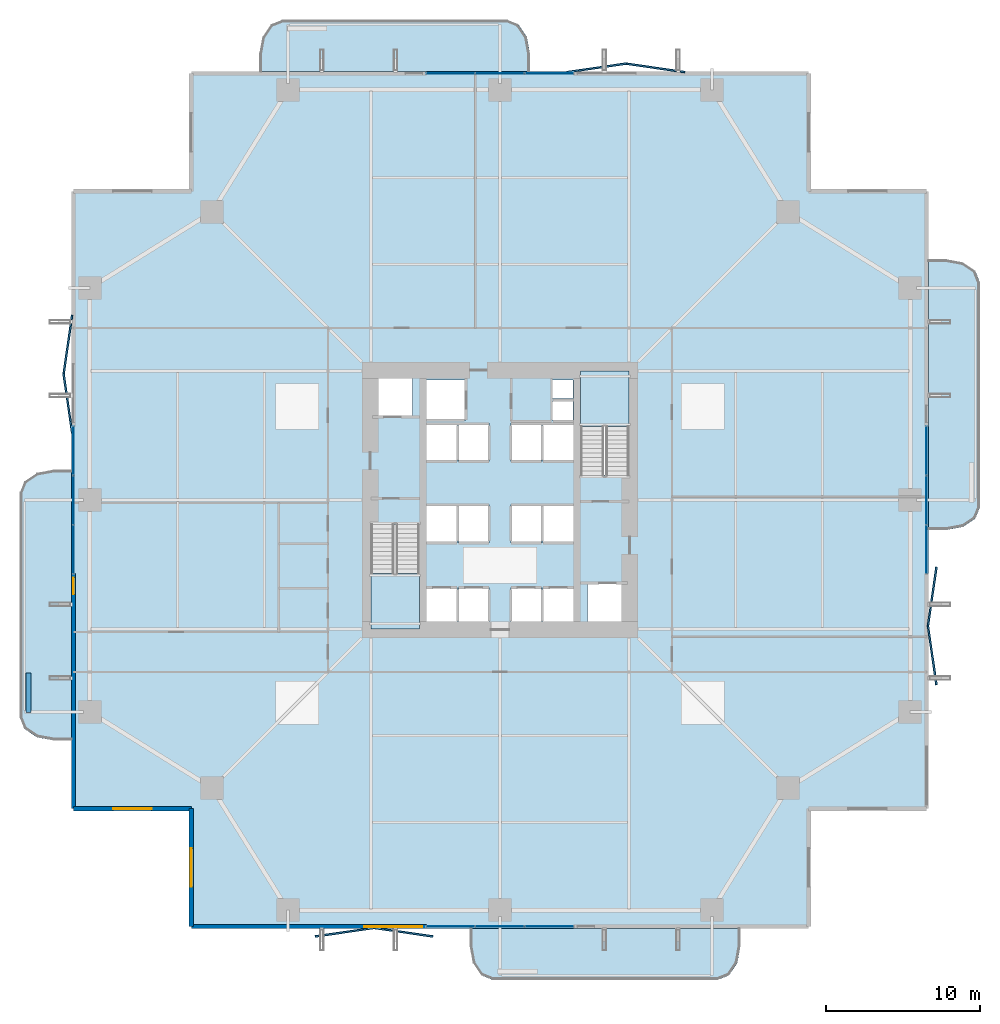
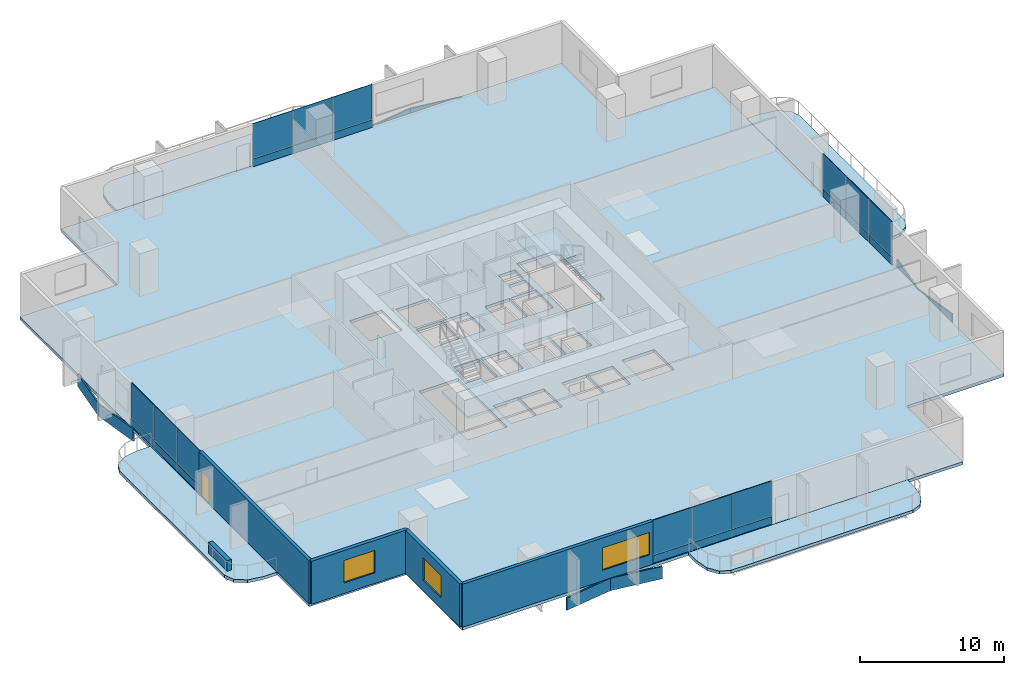
# One storey, part 16 of 23: 32 plates, 7 slabs, 5 walls, 3 windows, 1 door, 4 openings, 6 elements without a shape of their own.
"""IFC4 building model written with IfcOpenShell, lengths in metres."""

from ifc_helpers import new_model, si_unit, direction, frame, frame_2d, origin, origin_2d, place, context, subcontext, project, spatial, polyline, rectangle, outline, extrude, material, layer, layer_set, type_object, element, fill, aggregate, save


model = new_model("IFC4")

# Units and contexts
model_context = context("Model", 3, precision=1e-05, world=origin(), true_north=direction((0.0, 1.0)))
body_context = subcontext(model_context, "Body", "Model", "MODEL_VIEW")
ifc_project = project(units=[si_unit("LENGTHUNIT", "METRE"), si_unit("AREAUNIT", "SQUARE_METRE"), si_unit("VOLUMEUNIT", "CUBIC_METRE"), si_unit("PLANEANGLEUNIT", "RADIAN"), si_unit("MASSUNIT", "GRAM", prefix="KILO")], contexts=[model_context])

# Site, building, storey
site_placement = place(None, origin())
site = spatial("IfcSite", under=ifc_project, at=site_placement, CompositionType="ELEMENT")
building_placement = place(site_placement, origin())
building = spatial("IfcBuilding", under=site, at=building_placement, Name="Belovzor Exchange Tower", CompositionType="ELEMENT")
storey_placement = place(building_placement, frame((0.0, 0.0, 84.60009765625)))
storey = spatial("IfcBuildingStorey", under=building, at=storey_placement, Name="L20", CompositionType="ELEMENT", Elevation=84.60009765625)

# Slab
ifc_material_1 = material(Name="Concrete C40/50", Category="concrete")
ifc_layer_1 = layer(ifc_material_1, 0.25)
ifc_layer_set_1 = layer_set([ifc_layer_1], Name="Concrete C40/50")
slab_type_1 = type_object("IfcSlabType", Name="Composite Concrete Floor Deck Slab 250", PredefinedType="FLOOR", material=ifc_layer_set_1)
slab_1_placement = place(storey_placement, frame((0.0, 0.0, -0.25)))
element("IfcSlab", 1, at=slab_1_placement, inside=storey, type_object=slab_type_1, Name="SL-F250 Structural Slab L20", PredefinedType="FLOOR", context=body_context, shape_type="SweptSolid", body=[
    extrude(outline(polyline([(8.699951171875, 0.89990234375), (48.89990234375, 0.89990234375), (48.89990234375, 8.699951171875), (56.699951171875, 8.699951171875), (56.699951171875, 48.89990234375), (48.89990234375, 48.89990234375), (48.89990234375, 56.699951171875), (8.699951171875, 56.699951171875), (8.699951171875, 48.89990234375), (0.89990234375, 48.89990234375), (0.89990234375, 8.699951171875), (8.699951171875, 8.699951171875), (8.699951171875, 0.89990234375)]), holes=[polyline([(20.39990234375, 27.175048828125), (20.39990234375, 20.39990234375), (23.550048828125, 20.39990234375), (23.550048828125, 27.175048828125), (20.39990234375, 27.175048828125)]), polyline([(37.199951171875, 30.425048828125), (37.199951171875, 37.199951171875), (34.050048828125, 37.199951171875), (34.050048828125, 30.425048828125), (37.199951171875, 30.425048828125)]), polyline([(20.5, 34.199951171875), (23.10009765625, 34.199951171875), (23.10009765625, 37.0), (20.5, 37.0), (20.5, 34.199951171875)]), polyline([(34.5, 20.60009765625), (37.10009765625, 20.60009765625), (37.10009765625, 23.39990234375), (34.5, 23.39990234375), (34.5, 20.60009765625)]), polyline([(24.0, 34.0), (26.60009765625, 34.0), (26.60009765625, 36.60009765625), (24.0, 36.60009765625), (24.0, 34.0)]), polyline([(24.0, 20.60009765625), (26.0, 20.60009765625), (26.0, 23.10009765625), (24.0, 23.10009765625), (24.0, 20.60009765625)]), polyline([(26.10009765625, 20.60009765625), (28.10009765625, 20.60009765625), (28.10009765625, 23.10009765625), (26.10009765625, 23.10009765625), (26.10009765625, 20.60009765625)]), polyline([(29.5, 20.60009765625), (31.5, 20.60009765625), (31.5, 23.10009765625), (29.5, 23.10009765625), (29.5, 20.60009765625)]), polyline([(31.60009765625, 20.60009765625), (33.60009765625, 20.60009765625), (33.60009765625, 23.10009765625), (31.60009765625, 23.10009765625), (31.60009765625, 20.60009765625)]), polyline([(24.0, 26.0), (26.0, 26.0), (26.0, 28.5), (24.0, 28.5), (24.0, 26.0)]), polyline([(26.10009765625, 26.0), (28.10009765625, 26.0), (28.10009765625, 28.5), (26.10009765625, 28.5), (26.10009765625, 26.0)]), polyline([(29.5, 26.0), (31.5, 26.0), (31.5, 28.5), (29.5, 28.5), (29.5, 26.0)]), polyline([(31.60009765625, 26.0), (33.60009765625, 26.0), (33.60009765625, 28.5), (31.60009765625, 28.5), (31.60009765625, 26.0)]), polyline([(24.0, 31.300048828125), (26.0, 31.300048828125), (26.0, 33.800048828125), (24.0, 33.800048828125), (24.0, 31.300048828125)]), polyline([(26.10009765625, 31.300048828125), (28.10009765625, 31.300048828125), (28.10009765625, 33.800048828125), (26.10009765625, 33.800048828125), (26.10009765625, 31.300048828125)]), polyline([(29.5, 31.300048828125), (31.5, 31.300048828125), (31.5, 33.800048828125), (29.5, 33.800048828125), (29.5, 31.300048828125)]), polyline([(31.60009765625, 31.300048828125), (33.60009765625, 31.300048828125), (33.60009765625, 33.800048828125), (31.60009765625, 33.800048828125), (31.60009765625, 31.300048828125)]), polyline([(32.199951171875, 34.0), (33.550048828125, 34.0), (33.550048828125, 35.199951171875), (32.199951171875, 35.199951171875), (32.199951171875, 34.0)]), polyline([(32.199951171875, 35.39990234375), (33.550048828125, 35.39990234375), (33.550048828125, 36.60009765625), (32.199951171875, 36.60009765625), (32.199951171875, 35.39990234375)])]), origin(), (0.0, 0.0, 1.0), 0.25),
])

# Plates
ifc_material_2 = material(Name="Extruded Architectural Terracotta", Category="masonry")
ifc_layer_2 = layer(ifc_material_2, 0.1201171875)
ifc_layer_set_2 = layer_set([ifc_layer_2], Name="Extruded Architectural Terracotta")
plate_type_1 = type_object("IfcPlateType", Name="Folded Zigzag Terracotta Spandrel Louvre 80", PredefinedType="USERDEFINED", material=ifc_layer_set_2)
for number, where, z_axis, x_axis, name in (
    (2, (18.699951171875, 0.6650390625, -1.03515625), (0.0, 0.0, 1.0), (0.989686419138, 0.143250800258, 0.0), "LVR-ZZ1 Zigzag Terracotta Spandrel Louvre L20 S1A"),
    (3, (22.5, 0.6650390625, -1.03515625), (0.0, 0.0, 1.0), (0.989686419138, -0.143250800258, 0.0), "LVR-ZZ1 Zigzag Terracotta Spandrel Louvre L20 S1B"),
    (4, (56.93505859375, 18.699951171875, -1.03515625), (0.0, 0.0, 1.0), (-0.143250800258, 0.989686419138, 0.0), "LVR-ZZ1 Zigzag Terracotta Spandrel Louvre L20 E1A"),
    (5, (56.93505859375, 22.5, -1.03515625), (0.0, 0.0, 1.0), (0.143250800258, 0.989686419138, 0.0), "LVR-ZZ1 Zigzag Terracotta Spandrel Louvre L20 E1B"),
    (6, (35.10009765625, 56.93505859375, -1.03515625), (0.0, 0.0, 1.0), (0.989686419138, 0.143250800258, 0.0), "LVR-ZZ1 Zigzag Terracotta Spandrel Louvre L20 N2A"),
    (7, (38.89990234375, 56.93505859375, -1.03515625), (0.0, 0.0, 1.0), (0.989686419138, -0.143250800258, 0.0), "LVR-ZZ1 Zigzag Terracotta Spandrel Louvre L20 N2B"),
    (8, (0.6650390625, 35.10009765625, -1.03515625), (0.0, 0.0, 1.0), (-0.143250800258, 0.989686419138, 0.0), "LVR-ZZ1 Zigzag Terracotta Spandrel Louvre L20 W2A"),
    (9, (0.6650390625, 38.89990234375, -1.03515625), (0.0, 0.0, 1.0), (0.143250800258, 0.989686419138, 0.0), "LVR-ZZ1 Zigzag Terracotta Spandrel Louvre L20 W2B"),
):
    element("IfcPlate", number, at=place(storey_placement, frame(where, z_axis=z_axis, x_axis=x_axis)), inside=storey, type_object=plate_type_1, Name=name, ObjectType="SPANDREL_LOUVRE", PredefinedType="USERDEFINED", context=body_context, shape_type="SweptSolid", body=[
        extrude(rectangle(XDim=3.919921875, YDim=0.1201171875, at=origin_2d()), origin(), (0.0, 0.0, 1.0), 1.050048828125),
    ])

# Curtain wall, plates
ifc_material_3 = material(Name="Anodised Aluminium Framing", Category="aluminium")
ifc_layer_3 = layer(ifc_material_3, 0.179931640625)
ifc_layer_set_3 = layer_set([ifc_layer_3], Name="Anodised Aluminium Framing")
curtain_wall_type = type_object("IfcCurtainWallType", Name="Recessed Loggia Low-Iron Triple-Glazed Curtain Wall", PredefinedType="NOTDEFINED", material=ifc_layer_set_3)
curtain_wall_1_placement = place(storey_placement, origin())
curtain_wall_1 = element("IfcCurtainWall", 10, at=curtain_wall_1_placement, inside=storey, type_object=curtain_wall_type, Name="CW3 Recessed Loggia Low-Iron Triple-Glazed Curtain Wall L20", PredefinedType="NOTDEFINED")
ifc_material_4 = material(Name="Solar-Control Triple Glazing", Category="glass")
ifc_layer_4 = layer(ifc_material_4, 0.0439453125)
ifc_layer_set_4 = layer_set([ifc_layer_4], Name="Solar-Control Triple Glazing")
plate_type_2 = type_object("IfcPlateType", Name="Insulated Solar Glazing Curtain Panel 44", PredefinedType="CURTAIN_PANEL", material=ifc_layer_set_4)
plate_1_placement = place(storey_placement, frame((32.0, 1.030029296875, 0.65185546875), z_axis=(0.0, 0.0, 1.0), x_axis=(-1.0, 0.0, 0.0)))
plate_1 = element("IfcPlate", 11, at=plate_1_placement, type_object=plate_type_2, Name="GLZ-44 Glazed Curtain Panel 1", PredefinedType="CURTAIN_PANEL", context=body_context, shape_type="SweptSolid", body=[
    extrude(rectangle(XDim=3.18408203125, YDim=0.0439453125, at=origin_2d()), origin(), (0.0, 0.0, 1.0), 2.998046875),
])
plate_2_placement = place(storey_placement, frame((28.800048828125, 1.030029296875, 0.65185546875), z_axis=(0.0, 0.0, 1.0), x_axis=(-1.0, 0.0, 0.0)))
plate_2 = element("IfcPlate", 12, at=plate_2_placement, type_object=plate_type_2, Name="GLZ-44 Glazed Curtain Panel 2", PredefinedType="CURTAIN_PANEL", context=body_context, shape_type="SweptSolid", body=[
    extrude(rectangle(XDim=3.18408203125, YDim=0.0439453125, at=origin_2d()), origin(), (0.0, 0.0, 1.0), 2.998046875),
])
plate_3_placement = place(storey_placement, frame((25.60009765625, 1.030029296875, 0.65185546875), z_axis=(0.0, 0.0, 1.0), x_axis=(-1.0, 0.0, 0.0)))
plate_3 = element("IfcPlate", 13, at=plate_3_placement, type_object=plate_type_2, Name="GLZ-44 Glazed Curtain Panel 3", PredefinedType="CURTAIN_PANEL", context=body_context, shape_type="SweptSolid", body=[
    extrude(rectangle(XDim=3.18408203125, YDim=0.0439453125, at=origin_2d()), origin(), (0.0, 0.0, 1.0), 2.998046875),
])

curtain_wall_2_placement = place(storey_placement, origin())
curtain_wall_2 = element("IfcCurtainWall", 14, at=curtain_wall_2_placement, inside=storey, type_object=curtain_wall_type, Name="CW3 Recessed Loggia Low-Iron Triple-Glazed Curtain Wall L20", PredefinedType="NOTDEFINED")
plate_4_placement = place(storey_placement, frame((25.60009765625, 56.570068359375, 0.65185546875), z_axis=(0.0, 0.0, 1.0), x_axis=(1.0, 0.0, 0.0)))
plate_4 = element("IfcPlate", 15, at=plate_4_placement, type_object=plate_type_2, Name="GLZ-44 Glazed Curtain Panel 1", PredefinedType="CURTAIN_PANEL", context=body_context, shape_type="SweptSolid", body=[
    extrude(rectangle(XDim=3.18408203125, YDim=0.0439453125, at=origin_2d()), origin(), (0.0, 0.0, 1.0), 2.998046875),
])
plate_5_placement = place(storey_placement, frame((28.800048828125, 56.570068359375, 0.65185546875), z_axis=(0.0, 0.0, 1.0), x_axis=(1.0, 0.0, 0.0)))
plate_5 = element("IfcPlate", 16, at=plate_5_placement, type_object=plate_type_2, Name="GLZ-44 Glazed Curtain Panel 2", PredefinedType="CURTAIN_PANEL", context=body_context, shape_type="SweptSolid", body=[
    extrude(rectangle(XDim=3.18408203125, YDim=0.0439453125, at=origin_2d()), origin(), (0.0, 0.0, 1.0), 2.998046875),
])
plate_6_placement = place(storey_placement, frame((32.0, 56.570068359375, 0.65185546875), z_axis=(0.0, 0.0, 1.0), x_axis=(1.0, 0.0, 0.0)))
plate_6 = element("IfcPlate", 17, at=plate_6_placement, type_object=plate_type_2, Name="GLZ-44 Glazed Curtain Panel 3", PredefinedType="CURTAIN_PANEL", context=body_context, shape_type="SweptSolid", body=[
    extrude(rectangle(XDim=3.18408203125, YDim=0.0439453125, at=origin_2d()), origin(), (0.0, 0.0, 1.0), 2.998046875),
])

curtain_wall_3_placement = place(storey_placement, origin())
curtain_wall_3 = element("IfcCurtainWall", 18, at=curtain_wall_3_placement, inside=storey, type_object=curtain_wall_type, Name="CW3 Recessed Loggia Low-Iron Triple-Glazed Curtain Wall L20", PredefinedType="NOTDEFINED")
plate_7_placement = place(storey_placement, frame((1.030029296875, 25.60009765625, 0.65185546875), z_axis=(0.0, 0.0, 1.0), x_axis=(0.0, 1.0, 0.0)))
plate_7 = element("IfcPlate", 19, at=plate_7_placement, type_object=plate_type_2, Name="GLZ-44 Glazed Curtain Panel 1", PredefinedType="CURTAIN_PANEL", context=body_context, shape_type="SweptSolid", body=[
    extrude(rectangle(XDim=3.18408203125, YDim=0.0439453125, at=origin_2d()), origin(), (0.0, 0.0, 1.0), 2.998046875),
])
plate_8_placement = place(storey_placement, frame((1.030029296875, 28.800048828125, 0.65185546875), z_axis=(0.0, 0.0, 1.0), x_axis=(0.0, 1.0, 0.0)))
plate_8 = element("IfcPlate", 20, at=plate_8_placement, type_object=plate_type_2, Name="GLZ-44 Glazed Curtain Panel 2", PredefinedType="CURTAIN_PANEL", context=body_context, shape_type="SweptSolid", body=[
    extrude(rectangle(XDim=3.18408203125, YDim=0.0439453125, at=origin_2d()), origin(), (0.0, 0.0, 1.0), 2.998046875),
])
plate_9_placement = place(storey_placement, frame((1.030029296875, 32.0, 0.65185546875), z_axis=(0.0, 0.0, 1.0), x_axis=(0.0, 1.0, 0.0)))
plate_9 = element("IfcPlate", 21, at=plate_9_placement, type_object=plate_type_2, Name="GLZ-44 Glazed Curtain Panel 3", PredefinedType="CURTAIN_PANEL", context=body_context, shape_type="SweptSolid", body=[
    extrude(rectangle(XDim=3.18408203125, YDim=0.0439453125, at=origin_2d()), origin(), (0.0, 0.0, 1.0), 2.998046875),
])

curtain_wall_4_placement = place(storey_placement, origin())
curtain_wall_4 = element("IfcCurtainWall", 22, at=curtain_wall_4_placement, inside=storey, type_object=curtain_wall_type, Name="CW3 Recessed Loggia Low-Iron Triple-Glazed Curtain Wall L20", PredefinedType="NOTDEFINED")
plate_10_placement = place(storey_placement, frame((56.570068359375, 32.0, 0.65185546875), z_axis=(0.0, 0.0, 1.0), x_axis=(0.0, -1.0, 0.0)))
plate_10 = element("IfcPlate", 23, at=plate_10_placement, type_object=plate_type_2, Name="GLZ-44 Glazed Curtain Panel 1", PredefinedType="CURTAIN_PANEL", context=body_context, shape_type="SweptSolid", body=[
    extrude(rectangle(XDim=3.18408203125, YDim=0.0439453125, at=origin_2d()), origin(), (0.0, 0.0, 1.0), 2.998046875),
])
plate_11_placement = place(storey_placement, frame((56.570068359375, 28.800048828125, 0.65185546875), z_axis=(0.0, 0.0, 1.0), x_axis=(0.0, -1.0, 0.0)))
plate_11 = element("IfcPlate", 24, at=plate_11_placement, type_object=plate_type_2, Name="GLZ-44 Glazed Curtain Panel 2", PredefinedType="CURTAIN_PANEL", context=body_context, shape_type="SweptSolid", body=[
    extrude(rectangle(XDim=3.18408203125, YDim=0.0439453125, at=origin_2d()), origin(), (0.0, 0.0, 1.0), 2.998046875),
])
plate_12_placement = place(storey_placement, frame((56.570068359375, 25.60009765625, 0.65185546875), z_axis=(0.0, 0.0, 1.0), x_axis=(0.0, -1.0, 0.0)))
plate_12 = element("IfcPlate", 25, at=plate_12_placement, type_object=plate_type_2, Name="GLZ-44 Glazed Curtain Panel 3", PredefinedType="CURTAIN_PANEL", context=body_context, shape_type="SweptSolid", body=[
    extrude(rectangle(XDim=3.18408203125, YDim=0.0439453125, at=origin_2d()), origin(), (0.0, 0.0, 1.0), 2.998046875),
])

# Stair, slab
ifc_material_5 = material(Name="Concrete C40/50", Category="concrete")
stair_type = type_object("IfcStairType", Name="Reinforced Concrete Dogleg Escape Stair 1350", PredefinedType="HALF_TURN_STAIR", material=ifc_material_5)
stair_1_placement = place(storey_placement, origin())
stair_1 = element("IfcStair", 26, at=stair_1_placement, inside=storey, type_object=stair_type, Name="L20 ST-1", PredefinedType="HALF_TURN_STAIR")
ifc_material_6 = material(Name="Concrete C40/50", Category="concrete")
ifc_layer_5 = layer(ifc_material_6, 0.199951171875)
ifc_layer_set_5 = layer_set([ifc_layer_5], Name="Concrete C40/50")
slab_type_2 = type_object("IfcSlabType", Name="Reinforced Concrete Stair Half-Landing Slab 200", PredefinedType="LANDING", material=ifc_layer_set_5)
slab_2_placement = place(storey_placement, frame((0.0, 0.0, 1.75)))
slab_2 = element("IfcSlab", 27, at=slab_2_placement, type_object=slab_type_2, Name="ST-1 landing 1", PredefinedType="LANDING", context=body_context, shape_type="SweptSolid", body=[
    extrude(outline(polyline([(20.39990234375, 24.010009765625), (20.39990234375, 20.39990234375), (23.550048828125, 20.39990234375), (23.550048828125, 24.010009765625), (20.39990234375, 24.010009765625)])), origin(), (0.0, 0.0, 1.0), 0.199951171875),
])
aggregate(stair_1, [slab_2])

stair_2_placement = place(storey_placement, origin())
stair_2 = element("IfcStair", 28, at=stair_2_placement, inside=storey, type_object=stair_type, Name="L20 ST-2", PredefinedType="HALF_TURN_STAIR")
slab_3_placement = place(storey_placement, frame((0.0, 0.0, 1.75)))
slab_3 = element("IfcSlab", 29, at=slab_3_placement, type_object=slab_type_2, Name="ST-2 landing 1", PredefinedType="LANDING", context=body_context, shape_type="SweptSolid", body=[
    extrude(outline(polyline([(37.199951171875, 33.590087890625), (37.199951171875, 37.199951171875), (34.050048828125, 37.199951171875), (34.050048828125, 33.590087890625), (37.199951171875, 33.590087890625)])), origin(), (0.0, 0.0, 1.0), 0.199951171875),
])
aggregate(stair_2, [slab_3])

# Plate
ifc_material_7 = material(Name="Extruded Architectural Terracotta", Category="masonry")
ifc_layer_6 = layer(ifc_material_7, 0.090087890625)
ifc_layer_set_6 = layer_set([ifc_layer_6], Name="Extruded Architectural Terracotta")
plate_type_3 = type_object("IfcPlateType", Name="Terracotta Shadow-Box Spandrel Panel 90", PredefinedType="CURTAIN_PANEL", material=ifc_layer_set_6)
plate_13_placement = place(storey_placement, frame((32.0, 1.030029296875, 0.0), z_axis=(0.0, 0.0, 1.0), x_axis=(-1.0, 0.0, 0.0)))
plate_13 = element("IfcPlate", 30, at=plate_13_placement, type_object=plate_type_3, Name="SPD-90 Spandrel Panel 1", PredefinedType="CURTAIN_PANEL", context=body_context, shape_type="SweptSolid", body=[
    extrude(rectangle(XDim=3.18408203125, YDim=0.090087890625, at=origin_2d()), origin(), (0.0, 0.0, 1.0), 0.64794921875),
])

plate_14_placement = place(storey_placement, frame((28.800048828125, 1.030029296875, 0.0), z_axis=(0.0, 0.0, 1.0), x_axis=(-1.0, 0.0, 0.0)))
plate_14 = element("IfcPlate", 31, at=plate_14_placement, type_object=plate_type_3, Name="SPD-90 Spandrel Panel 2", PredefinedType="CURTAIN_PANEL", context=body_context, shape_type="SweptSolid", body=[
    extrude(rectangle(XDim=3.18408203125, YDim=0.090087890625, at=origin_2d()), origin(), (0.0, 0.0, 1.0), 0.64794921875),
])

plate_15_placement = place(storey_placement, frame((25.60009765625, 1.030029296875, 0.0), z_axis=(0.0, 0.0, 1.0), x_axis=(-1.0, 0.0, 0.0)))
plate_15 = element("IfcPlate", 32, at=plate_15_placement, type_object=plate_type_3, Name="SPD-90 Spandrel Panel 3", PredefinedType="CURTAIN_PANEL", context=body_context, shape_type="SweptSolid", body=[
    extrude(rectangle(XDim=3.18408203125, YDim=0.090087890625, at=origin_2d()), origin(), (0.0, 0.0, 1.0), 0.64794921875),
])

aggregate(curtain_wall_1, [plate_13, plate_1, plate_14, plate_2, plate_15, plate_3])

plate_16_placement = place(storey_placement, frame((25.60009765625, 56.570068359375, 0.0), z_axis=(0.0, 0.0, 1.0), x_axis=(1.0, 0.0, 0.0)))
plate_16 = element("IfcPlate", 33, at=plate_16_placement, type_object=plate_type_3, Name="SPD-90 Spandrel Panel 1", PredefinedType="CURTAIN_PANEL", context=body_context, shape_type="SweptSolid", body=[
    extrude(rectangle(XDim=3.18408203125, YDim=0.090087890625, at=origin_2d()), origin(), (0.0, 0.0, 1.0), 0.64794921875),
])

plate_17_placement = place(storey_placement, frame((28.800048828125, 56.570068359375, 0.0), z_axis=(0.0, 0.0, 1.0), x_axis=(1.0, 0.0, 0.0)))
plate_17 = element("IfcPlate", 34, at=plate_17_placement, type_object=plate_type_3, Name="SPD-90 Spandrel Panel 2", PredefinedType="CURTAIN_PANEL", context=body_context, shape_type="SweptSolid", body=[
    extrude(rectangle(XDim=3.18408203125, YDim=0.090087890625, at=origin_2d()), origin(), (0.0, 0.0, 1.0), 0.64794921875),
])

plate_18_placement = place(storey_placement, frame((32.0, 56.570068359375, 0.0), z_axis=(0.0, 0.0, 1.0), x_axis=(1.0, 0.0, 0.0)))
plate_18 = element("IfcPlate", 35, at=plate_18_placement, type_object=plate_type_3, Name="SPD-90 Spandrel Panel 3", PredefinedType="CURTAIN_PANEL", context=body_context, shape_type="SweptSolid", body=[
    extrude(rectangle(XDim=3.18408203125, YDim=0.090087890625, at=origin_2d()), origin(), (0.0, 0.0, 1.0), 0.64794921875),
])

aggregate(curtain_wall_2, [plate_16, plate_4, plate_17, plate_5, plate_18, plate_6])

plate_19_placement = place(storey_placement, frame((1.030029296875, 25.60009765625, 0.0), z_axis=(0.0, 0.0, 1.0), x_axis=(0.0, 1.0, 0.0)))
plate_19 = element("IfcPlate", 36, at=plate_19_placement, type_object=plate_type_3, Name="SPD-90 Spandrel Panel 1", PredefinedType="CURTAIN_PANEL", context=body_context, shape_type="SweptSolid", body=[
    extrude(rectangle(XDim=3.18408203125, YDim=0.090087890625, at=origin_2d()), origin(), (0.0, 0.0, 1.0), 0.64794921875),
])

plate_20_placement = place(storey_placement, frame((1.030029296875, 28.800048828125, 0.0), z_axis=(0.0, 0.0, 1.0), x_axis=(0.0, 1.0, 0.0)))
plate_20 = element("IfcPlate", 37, at=plate_20_placement, type_object=plate_type_3, Name="SPD-90 Spandrel Panel 2", PredefinedType="CURTAIN_PANEL", context=body_context, shape_type="SweptSolid", body=[
    extrude(rectangle(XDim=3.18408203125, YDim=0.090087890625, at=origin_2d()), origin(), (0.0, 0.0, 1.0), 0.64794921875),
])

plate_21_placement = place(storey_placement, frame((1.030029296875, 32.0, 0.0), z_axis=(0.0, 0.0, 1.0), x_axis=(0.0, 1.0, 0.0)))
plate_21 = element("IfcPlate", 38, at=plate_21_placement, type_object=plate_type_3, Name="SPD-90 Spandrel Panel 3", PredefinedType="CURTAIN_PANEL", context=body_context, shape_type="SweptSolid", body=[
    extrude(rectangle(XDim=3.18408203125, YDim=0.090087890625, at=origin_2d()), origin(), (0.0, 0.0, 1.0), 0.64794921875),
])

aggregate(curtain_wall_3, [plate_19, plate_7, plate_20, plate_8, plate_21, plate_9])

plate_22_placement = place(storey_placement, frame((56.570068359375, 32.0, 0.0), z_axis=(0.0, 0.0, 1.0), x_axis=(0.0, -1.0, 0.0)))
plate_22 = element("IfcPlate", 39, at=plate_22_placement, type_object=plate_type_3, Name="SPD-90 Spandrel Panel 1", PredefinedType="CURTAIN_PANEL", context=body_context, shape_type="SweptSolid", body=[
    extrude(rectangle(XDim=3.18408203125, YDim=0.090087890625, at=origin_2d()), origin(), (0.0, 0.0, 1.0), 0.64794921875),
])

plate_23_placement = place(storey_placement, frame((56.570068359375, 28.800048828125, 0.0), z_axis=(0.0, 0.0, 1.0), x_axis=(0.0, -1.0, 0.0)))
plate_23 = element("IfcPlate", 40, at=plate_23_placement, type_object=plate_type_3, Name="SPD-90 Spandrel Panel 2", PredefinedType="CURTAIN_PANEL", context=body_context, shape_type="SweptSolid", body=[
    extrude(rectangle(XDim=3.18408203125, YDim=0.090087890625, at=origin_2d()), origin(), (0.0, 0.0, 1.0), 0.64794921875),
])

plate_24_placement = place(storey_placement, frame((56.570068359375, 25.60009765625, 0.0), z_axis=(0.0, 0.0, 1.0), x_axis=(0.0, -1.0, 0.0)))
plate_24 = element("IfcPlate", 41, at=plate_24_placement, type_object=plate_type_3, Name="SPD-90 Spandrel Panel 3", PredefinedType="CURTAIN_PANEL", context=body_context, shape_type="SweptSolid", body=[
    extrude(rectangle(XDim=3.18408203125, YDim=0.090087890625, at=origin_2d()), origin(), (0.0, 0.0, 1.0), 0.64794921875),
])

aggregate(curtain_wall_4, [plate_22, plate_10, plate_23, plate_11, plate_24, plate_12])

# Slabs
ifc_material_8 = material(Name="Concrete C40/50", Category="concrete")
ifc_layer_7 = layer(ifc_material_8, 0.25)
ifc_layer_set_7 = layer_set([ifc_layer_7], Name="Concrete C40/50")
slab_type_3 = type_object("IfcSlabType", Name="Thermally Broken Planted Balcony Slab 250", PredefinedType="FLOOR", material=ifc_layer_set_7)
slab_4_placement = place(storey_placement, frame((0.0, 0.0, -0.25)))
element("IfcSlab", 42, at=slab_4_placement, inside=storey, type_object=slab_type_3, Name="SL-BAL220 Planted Balcony Loggia L20 South", PredefinedType="FLOOR", context=body_context, shape_type="SweptSolid", body=[
    extrude(outline(polyline([(26.85009765625, 0.9150390625), (26.85009765625, -0.25), (27.051025390625, -1.35009765625), (27.60009765625, -2.155029296875), (28.35009765625, -2.449951171875), (42.949951171875, -2.449951171875), (43.699951171875, -2.155029296875), (44.2490234375, -1.35009765625), (44.449951171875, -0.25), (44.449951171875, 0.9150390625), (26.85009765625, 0.9150390625)])), origin(), (0.0, 0.0, 1.0), 0.25),
])
slab_5_placement = place(storey_placement, frame((0.0, 0.0, -0.25)))
element("IfcSlab", 43, at=slab_5_placement, inside=storey, type_object=slab_type_3, Name="SL-BAL220 Planted Balcony Loggia L20 North", PredefinedType="FLOOR", context=body_context, shape_type="SweptSolid", body=[
    extrude(outline(polyline([(30.75, 56.68505859375), (30.75, 57.85009765625), (30.549072265625, 58.949951171875), (30.0, 59.7548828125), (29.25, 60.050048828125), (14.64990234375, 60.050048828125), (13.89990234375, 59.7548828125), (13.35107421875, 58.949951171875), (13.14990234375, 57.85009765625), (13.14990234375, 56.68505859375), (30.75, 56.68505859375)])), origin(), (0.0, 0.0, 1.0), 0.25),
])
slab_6_placement = place(storey_placement, frame((0.0, 0.0, -0.25)))
element("IfcSlab", 44, at=slab_6_placement, inside=storey, type_object=slab_type_3, Name="SL-BAL220 Planted Balcony Loggia L20 East", PredefinedType="FLOOR", context=body_context, shape_type="SweptSolid", body=[
    extrude(outline(polyline([(56.68505859375, 26.85009765625), (57.85009765625, 26.85009765625), (58.949951171875, 27.051025390625), (59.7548828125, 27.60009765625), (60.050048828125, 28.35009765625), (60.050048828125, 42.949951171875), (59.7548828125, 43.699951171875), (58.949951171875, 44.2490234375), (57.85009765625, 44.449951171875), (56.68505859375, 44.449951171875), (56.68505859375, 26.85009765625)])), origin(), (0.0, 0.0, 1.0), 0.25),
])
slab_7_placement = place(storey_placement, frame((0.0, 0.0, -0.25)))
element("IfcSlab", 45, at=slab_7_placement, inside=storey, type_object=slab_type_3, Name="SL-BAL220 Planted Balcony Loggia L20 West", PredefinedType="FLOOR", context=body_context, shape_type="SweptSolid", body=[
    extrude(outline(polyline([(0.9150390625, 30.75), (-0.25, 30.75), (-1.35009765625, 30.549072265625), (-2.155029296875, 30.0), (-2.449951171875, 29.25), (-2.449951171875, 14.64990234375), (-2.155029296875, 13.89990234375), (-1.35009765625, 13.35107421875), (-0.25, 13.14990234375), (0.9150390625, 13.14990234375), (0.9150390625, 30.75)])), origin(), (0.0, 0.0, 1.0), 0.25),
])

# Wall, opening, window
ifc_material_9 = material(Name="Precast concrete C40/50", Category="concrete")
ifc_layer_8 = layer(ifc_material_9, 0.280029296875)
ifc_layer_set_8 = layer_set([ifc_layer_8], Name="Precast concrete C40/50")
wall_type_1 = type_object("IfcWallType", Name="Precast Concrete Notched Corner Frame Wall 280", PredefinedType="SOLIDWALL", material=ifc_layer_set_8)
wall_1_placement = place(storey_placement, frame((8.699951171875, 1.030029296875, 0.0), z_axis=(0.0, 0.0, 1.0), x_axis=(0.0, 1.0, 0.0)))
wall_1 = element("IfcWall", 46, at=wall_1_placement, inside=storey, type_object=wall_type_1, Name="W-CRN280 Precast Concrete Notched Corner Frame Wall 280 L20", PredefinedType="SOLIDWALL", context=body_context, shape_type="SweptSolid", body=[
    extrude(rectangle(XDim=7.669921875, YDim=0.280029296875, at=frame_2d((3.8349609375, 0.0))), origin(), (0.0, 0.0, 1.0), 3.64990234375),
])
opening_1_placement = place(wall_1_placement, frame((2.5849609375, 0.0, 0.89990234375)))
opening_1 = element("IfcOpeningElement", 47, at=opening_1_placement, cuts=wall_1, Name="Opening WN-CRN250", PredefinedType="OPENING", context=body_context, shape_type="SweptSolid", body=[
    extrude(rectangle(XDim=2.5, YDim=1.89990234375, at=frame_2d((1.25, 0.949951171875))), frame((0.0, 0.14990234375, 0.0), z_axis=(0.0, -1.0, 0.0), x_axis=(1.0, 0.0, 0.0)), (0.0, 0.0, 1.0), 0.300048828125),
])
ifc_material_10 = material(Name="Thermally Broken Aluminium and Triple Glazing", Category="aluminium")
window_type_1 = type_object("IfcWindowType", Name="Streamline Moderne Corner Wrap Ribbon Window 2500x1900", PartitioningType="SINGLE_PANEL", PredefinedType="WINDOW", material=ifc_material_10)
window_1_placement = place(opening_1_placement, origin())
window_1 = element("IfcWindow", 48, at=window_1_placement, inside=storey, type_object=window_type_1, Name="WN-CRN250 Streamline Moderne Corner Wrap Ribbon Window 2500x1900", OverallHeight=1.89990234375, OverallWidth=2.5, PartitioningType="SINGLE_PANEL", PredefinedType="WINDOW", context=body_context, shape_type="SweptSolid", body=[
    extrude(rectangle(XDim=2.5, YDim=1.89990234375, at=frame_2d((1.25, 0.949951171875))), frame((0.0, 0.030029296875, 0.0), z_axis=(0.0, -1.0, 0.0), x_axis=(1.0, 0.0, 0.0)), (0.0, 0.0, 1.0), 0.06005859375),
])
fill(opening_1, window_1)

wall_2_placement = place(storey_placement, frame((8.699951171875, 8.699951171875, 0.0), z_axis=(0.0, 0.0, 1.0), x_axis=(-1.0, 0.0, 0.0)))
wall_2 = element("IfcWall", 49, at=wall_2_placement, inside=storey, type_object=wall_type_1, Name="W-CRN280 Precast Concrete Notched Corner Frame Wall 280 L20", PredefinedType="SOLIDWALL", context=body_context, shape_type="SweptSolid", body=[
    extrude(rectangle(XDim=7.669921875, YDim=0.280029296875, at=frame_2d((3.8349609375, 0.0))), origin(), (0.0, 0.0, 1.0), 3.64990234375),
])
opening_2_placement = place(wall_2_placement, frame((2.5849609375, 0.0, 0.89990234375)))
opening_2 = element("IfcOpeningElement", 50, at=opening_2_placement, cuts=wall_2, Name="Opening WN-CRN250", PredefinedType="OPENING", context=body_context, shape_type="SweptSolid", body=[
    extrude(rectangle(XDim=2.5, YDim=1.89990234375, at=frame_2d((1.25, 0.949951171875))), frame((0.0, 0.14990234375, 0.0), z_axis=(0.0, -1.0, 0.0), x_axis=(1.0, 0.0, 0.0)), (0.0, 0.0, 1.0), 0.300048828125),
])
window_2_placement = place(opening_2_placement, origin())
window_2 = element("IfcWindow", 51, at=window_2_placement, inside=storey, type_object=window_type_1, Name="WN-CRN250 Streamline Moderne Corner Wrap Ribbon Window 2500x1900", OverallHeight=1.89990234375, OverallWidth=2.5, PartitioningType="SINGLE_PANEL", PredefinedType="WINDOW", context=body_context, shape_type="SweptSolid", body=[
    extrude(rectangle(XDim=2.5, YDim=1.89990234375, at=frame_2d((1.25, 0.949951171875))), frame((0.0, 0.030029296875, 0.0), z_axis=(0.0, -1.0, 0.0), x_axis=(1.0, 0.0, 0.0)), (0.0, 0.0, 1.0), 0.06005859375),
])
fill(opening_2, window_2)

ifc_material_11 = material(Name="Precast concrete C40/50", Category="concrete")
ifc_layer_9 = layer(ifc_material_11, 0.260009765625)
ifc_layer_set_9 = layer_set([ifc_layer_9], Name="Precast concrete C40/50")
wall_type_2 = type_object("IfcWallType", Name="Precast Concrete Perimeter Loggia Frame Wall 260", PredefinedType="SOLIDWALL", material=ifc_layer_set_9)
wall_3_placement = place(storey_placement, frame((24.0, 1.030029296875, 0.0), z_axis=(0.0, 0.0, 1.0), x_axis=(-1.0, 0.0, 0.0)))
wall_3 = element("IfcWall", 52, at=wall_3_placement, inside=storey, type_object=wall_type_2, Name="W-EXT260 Precast Concrete Perimeter Loggia Frame Wall 260 L20", PredefinedType="SOLIDWALL", context=body_context, shape_type="SweptSolid", body=[
    extrude(rectangle(XDim=15.300048828125, YDim=0.260009765625, at=frame_2d((7.64990234375, 0.0))), origin(), (0.0, 0.0, 1.0), 3.64990234375),
])
opening_3_placement = place(wall_3_placement, frame((0.25, 0.0, 0.89990234375)))
opening_3 = element("IfcOpeningElement", 53, at=opening_3_placement, cuts=wall_3, Name="Opening WN-RIB380", PredefinedType="OPENING", context=body_context, shape_type="SweptSolid", body=[
    extrude(rectangle(XDim=3.800048828125, YDim=1.89990234375, at=frame_2d((1.89990234375, 0.949951171875))), frame((0.0, 0.139892578125, 0.0), z_axis=(0.0, -1.0, 0.0), x_axis=(1.0, 0.0, 0.0)), (0.0, 0.0, 1.0), 0.280029296875),
])
ifc_material_12 = material(Name="Thermally Broken Aluminium and Triple Glazing", Category="aluminium")
window_type_2 = type_object("IfcWindowType", Name="Streamline Moderne Horizontal Ribbon Window 3800x1900", PartitioningType="SINGLE_PANEL", PredefinedType="WINDOW", material=ifc_material_12)
window_3_placement = place(opening_3_placement, origin())
window_3 = element("IfcWindow", 54, at=window_3_placement, inside=storey, type_object=window_type_2, Name="WN-RIB380 Streamline Moderne Horizontal Ribbon Window 3800x1900", OverallHeight=1.89990234375, OverallWidth=3.800048828125, PartitioningType="SINGLE_PANEL", PredefinedType="WINDOW", context=body_context, shape_type="SweptSolid", body=[
    extrude(rectangle(XDim=3.800048828125, YDim=1.89990234375, at=frame_2d((1.89990234375, 0.949951171875))), frame((0.0, 0.030029296875, 0.0), z_axis=(0.0, -1.0, 0.0), x_axis=(1.0, 0.0, 0.0)), (0.0, 0.0, 1.0), 0.06005859375),
])
fill(opening_3, window_3)

# Wall, opening, door
wall_4_placement = place(storey_placement, frame((1.030029296875, 8.699951171875, 0.0), z_axis=(0.0, 0.0, 1.0), x_axis=(0.0, 1.0, 0.0)))
wall_4 = element("IfcWall", 55, at=wall_4_placement, inside=storey, type_object=wall_type_2, Name="W-EXT260 Precast Concrete Perimeter Loggia Frame Wall 260 L20", PredefinedType="SOLIDWALL", context=body_context, shape_type="SweptSolid", body=[
    extrude(rectangle(XDim=15.300048828125, YDim=0.260009765625, at=frame_2d((7.64990234375, 0.0))), origin(), (0.0, 0.0, 1.0), 3.64990234375),
])
opening_4_placement = place(wall_4_placement, frame((13.949951171875, 0.0, 0.0)))
opening_4 = element("IfcOpeningElement", 56, at=opening_4_placement, cuts=wall_4, Name="Opening D-BAL110", PredefinedType="OPENING", context=body_context, shape_type="SweptSolid", body=[
    extrude(rectangle(XDim=1.10009765625, YDim=2.199951171875, at=frame_2d((0.550048828125, 1.10009765625))), frame((0.0, 0.139892578125, 0.0), z_axis=(0.0, -1.0, 0.0), x_axis=(1.0, 0.0, 0.0)), (0.0, 0.0, 1.0), 0.280029296875),
])
ifc_material_13 = material(Name="Thermally Broken Anodised Aluminium and Laminated Glass", Category="aluminium")
door_type = type_object("IfcDoorType", Name="Planted Loggia Terrace Glazed Door 1100x2200", OperationType="SINGLE_SWING_LEFT", PredefinedType="DOOR", material=ifc_material_13)
door_placement = place(opening_4_placement, origin())
door = element("IfcDoor", 57, at=door_placement, inside=storey, type_object=door_type, Name="D-BAL110 Balcony Terrace Door L20 W", OperationType="SINGLE_SWING_RIGHT", OverallHeight=2.199951171875, OverallWidth=1.10009765625, PredefinedType="DOOR", context=body_context, shape_type="SweptSolid", body=[
    extrude(rectangle(XDim=1.10009765625, YDim=2.199951171875, at=frame_2d((0.550048828125, 1.10009765625))), frame((0.0, 0.02490234375, 0.0), z_axis=(0.0, -1.0, 0.0), x_axis=(1.0, 0.0, 0.0)), (0.0, 0.0, 1.0), 0.050048828125),
])
fill(opening_4, door)

# Wall
ifc_material_14 = material(Name="Precast concrete C40/50", Category="concrete")
ifc_layer_10 = layer(ifc_material_14, 0.35009765625)
ifc_layer_set_10 = layer_set([ifc_layer_10], Name="Precast concrete C40/50")
wall_type_3 = type_object("IfcWallType", Name="Precast Concrete Structural Tree Planter Trough 350", PredefinedType="PARAPET", material=ifc_layer_set_10)
wall_5_placement = place(storey_placement, frame((-1.89990234375, 14.949951171875, 0.0), z_axis=(0.0, 0.0, 1.0), x_axis=(0.0, 1.0, 0.0)))
element("IfcWall", 58, at=wall_5_placement, inside=storey, type_object=wall_type_3, Name="PT-350 Precast Concrete Structural Tree Planter Trough 350 L20", PredefinedType="PARAPET", context=body_context, shape_type="SweptSolid", body=[
    extrude(rectangle(XDim=2.60009765625, YDim=0.35009765625, at=frame_2d((1.300048828125, 0.0))), origin(), (0.0, 0.0, 1.0), 0.89990234375),
])

save(model, "model.ifc")
